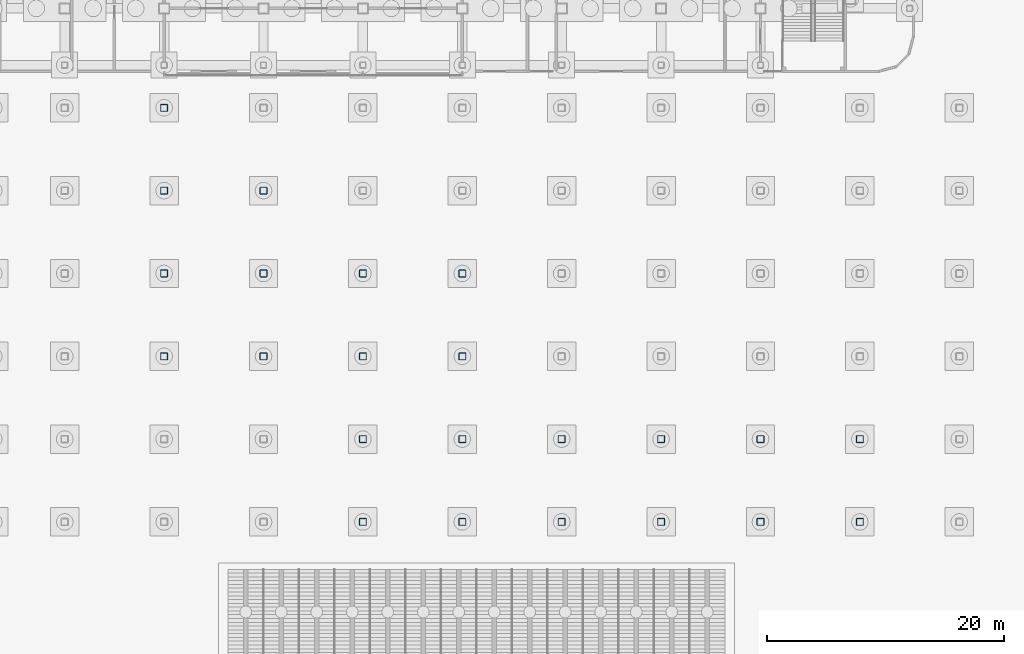
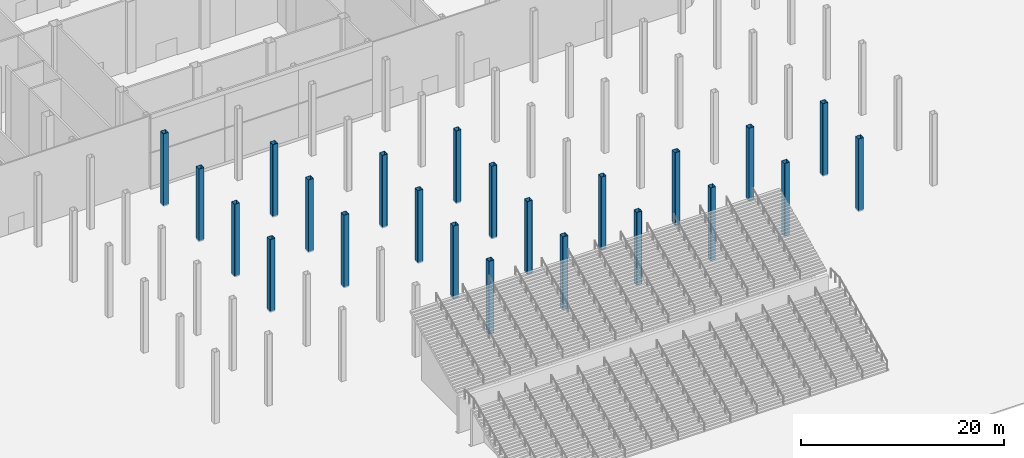
# One storey, part 9 of 113: 23 columns.
"""IFC4 building model written with IfcOpenShell, lengths in metres."""

import ifcopenshell
import ifcopenshell.guid

model = None  # the IFC model being written
_history = None  # IfcOwnerHistory: only IFC2X3 demands one
_inside = {}  # id of a spatial element -> (the spatial element, [elements in it])
_under = {}  # id of a project, library or spatial element -> (it, [spatial elements below it])
_declared = {}  # id of a project -> (the project, [libraries it declares])
_typed = {}  # id of a type object -> (the type object, [elements of that type])
_made_of = {}  # id of a material, layer set ... -> (it, [elements and type objects made of it])


def new_model(schema):
    """Start an empty IFC model of exactly this schema.

    Asked for "IFC4X3", IfcOpenShell would pick the latest addendum, in which some entities
    have other attributes; the version numbers below select the first issue.
    IFC2X3 requires an IfcOwnerHistory on every rooted entity: one is made here for all.
    """
    global model, _history
    if schema == "IFC4X3":
        model = ifcopenshell.file(schema_version=(4, 3, 0, 0))
    else:
        model = ifcopenshell.file(schema=schema)
    _inside.clear()
    _under.clear()
    _declared.clear()
    _typed.clear()
    _made_of.clear()
    _history = None
    if model.schema == "IFC2X3":
        org = make("IfcOrganization", Name="unknown")
        user = make(
            "IfcPersonAndOrganization",
            ThePerson=make("IfcPerson", FamilyName="unknown"),
            TheOrganization=org,
        )
        app = make(
            "IfcApplication",
            ApplicationDeveloper=org,
            Version="unknown",
            ApplicationFullName="unknown",
            ApplicationIdentifier="unknown",
        )
        _history = make(
            "IfcOwnerHistory",
            OwningUser=user,
            OwningApplication=app,
            ChangeAction="ADDED",
            CreationDate=0,
        )
    return model


def make(cls, **values):
    """One entity of the class cls with the attributes given. An attribute that is None is left unset."""
    return model.create_entity(
        cls, **{name: value for name, value in values.items() if value is not None}
    )


def rooted(cls, **values):
    """An entity with a GlobalId (a new one), such as an element, a storey or a relation."""
    return make(cls, GlobalId=ifcopenshell.guid.new(), OwnerHistory=_history, **values)


def si_unit(unit_type, name, prefix=None):
    """IfcSIUnit, for example si_unit("LENGTHUNIT", "METRE", prefix="MILLI")."""
    return make("IfcSIUnit", UnitType=unit_type, Prefix=prefix, Name=name)


def assignment(units):
    """IfcUnitAssignment: the units of a project."""
    return None if units is None else make("IfcUnitAssignment", Units=units)


def point(xyz):
    """IfcCartesianPoint."""
    return None if xyz is None else make("IfcCartesianPoint", Coordinates=xyz)


def direction(xyz):
    """IfcDirection."""
    return None if xyz is None else make("IfcDirection", DirectionRatios=xyz)


def frame(location, z_axis=None, x_axis=None):
    """IfcAxis2Placement3D, a coordinate frame: its origin and axes. An axis left out is left unset."""
    return make(
        "IfcAxis2Placement3D",
        Location=point(location),
        Axis=direction(z_axis),
        RefDirection=direction(x_axis),
    )


def frame_2d(location, x_axis=None):
    """IfcAxis2Placement2D, a coordinate frame in the plane: its origin and x axis."""
    return make(
        "IfcAxis2Placement2D", Location=point(location), RefDirection=direction(x_axis)
    )


def origin():
    """The frame at (0, 0, 0) with its axes left unset."""
    return frame((0.0, 0.0, 0.0))


def origin_2d():
    """The frame at (0, 0) in the plane with its x axis left unset."""
    return frame_2d((0.0, 0.0))


def place(relative_to, where):
    """IfcLocalPlacement: puts the frame where relative to a parent placement (None: the world)."""
    return make(
        "IfcLocalPlacement", PlacementRelTo=relative_to, RelativePlacement=where
    )


def context(
    kind, dimensions, precision=None, world=None, true_north=None, identifier=None
):
    """IfcGeometricRepresentationContext, for example the 3D "Model" context."""
    return make(
        "IfcGeometricRepresentationContext",
        ContextIdentifier=identifier,
        ContextType=kind,
        CoordinateSpaceDimension=dimensions,
        Precision=precision,
        WorldCoordinateSystem=world,
        TrueNorth=true_north,
    )


def subcontext(parent, identifier, kind, view, scale=None):
    """IfcGeometricRepresentationSubContext, for example "Body" below "Model"."""
    return make(
        "IfcGeometricRepresentationSubContext",
        ContextIdentifier=identifier,
        ContextType=kind,
        ParentContext=parent,
        TargetScale=scale,
        TargetView=view,
    )


def project(units=None, contexts=None):
    """IfcProject with its units and contexts."""
    return rooted(
        "IfcProject",
        Name="project",
        RepresentationContexts=contexts,
        UnitsInContext=assignment(units),
    )


def spatial(cls, under=None, at=None, **own):
    """A site, building, storey or space (cls), placed at a placement, below another one or the project."""
    s = rooted(cls, ObjectPlacement=at, **own)
    if under is not None:
        _under.setdefault(under.id(), (under, []))[1].append(s)
    return s


def profile(cls, at=None, kind="AREA", **sizes):
    """A parametric profile (cls). Its sizes go by their IFC names, for example OverallWidth=200.0."""
    return make(cls, ProfileType=kind, Position=at, **sizes)


def hollow_rectangle(**sizes):
    """IfcRectangleHollowProfileDef."""
    return profile("IfcRectangleHollowProfileDef", **sizes)


def extrude(swept, where, along, depth):
    """IfcExtrudedAreaSolid: the profile swept, set in the frame where, extruded along a direction by depth."""
    return make(
        "IfcExtrudedAreaSolid",
        SweptArea=swept,
        Position=where,
        ExtrudedDirection=direction(along),
        Depth=depth,
    )


def shape(context_of_items, identifier, shape_type, items):
    """IfcShapeRepresentation: the items that make up one representation, for example the "Body"."""
    return make(
        "IfcShapeRepresentation",
        ContextOfItems=context_of_items,
        RepresentationIdentifier=identifier,
        RepresentationType=shape_type,
        Items=items,
    )


def material(Name=None, Category=None):
    """IfcMaterial."""
    return make("IfcMaterial", Name=Name, Category=Category)


def material_profile(
    of_material, cross_section, Name=None, Category=None, Priority=None
):
    """IfcMaterialProfile: a cross section and its material."""
    return make(
        "IfcMaterialProfile",
        Name=Name,
        Material=of_material,
        Profile=cross_section,
        Priority=Priority,
        Category=Category,
    )


def profile_set(profiles, Name=None, composite=None):
    """IfcMaterialProfileSet."""
    return make(
        "IfcMaterialProfileSet",
        Name=Name,
        MaterialProfiles=profiles,
        CompositeProfile=composite,
    )


def made_of(thing, what):
    """Note that an element or type object is made of a material, layer set ...; save() writes the relation."""
    if what is not None:
        _made_of.setdefault(what.id(), (what, []))[1].append(thing)
    return thing


def type_object(cls, material=None, **own):
    """A type object (cls), such as IfcWallType, which elements share."""
    return made_of(rooted(cls, **own), material)


def element(
    cls,
    number,
    at=None,
    inside=None,
    cuts=None,
    type_object=None,
    material=None,
    context=None,
    identifier="Body",
    shape_type=None,
    held_by="IfcProductDefinitionShape",
    body=None,
    shapes=None,
    **own,
):
    """One element of the class cls, such as IfcWall. Its Tag is "e" and its number.

    at: its placement. inside: the storey or other place that contains it. cuts: it is an
    opening in that element (IfcRelVoidsElement). A single representation is given by context,
    identifier, shape_type and body (its items); several are given by shapes. held_by: the class
    of the entity that holds the representations. save() writes the other relations.
    """
    e = rooted(cls, Tag="e%d" % number, ObjectPlacement=at, **own)
    if body is not None:
        shapes = [shape(context, identifier, shape_type, body)]
    if shapes is not None:
        e.Representation = make(held_by, Representations=shapes)
    if inside is not None:
        _inside.setdefault(inside.id(), (inside, []))[1].append(e)
    if cuts is not None:
        rooted(
            "IfcRelVoidsElement", RelatingBuildingElement=cuts, RelatedOpeningElement=e
        )
    if type_object is not None:
        _typed.setdefault(type_object.id(), (type_object, []))[1].append(e)
    return made_of(e, material)


def aggregate(whole, parts):
    """IfcRelAggregates: a whole, such as a stair, and the parts it consists of."""
    return rooted("IfcRelAggregates", RelatingObject=whole, RelatedObjects=parts)


def save(model, path):
    """Write the relations noted so far, then the file.

    IfcRelAggregates (storeys below a building ...), IfcRelContainedInSpatialStructure (elements
    in a storey), IfcRelDefinesByType, IfcRelAssociatesMaterial and IfcRelDeclares: one each for
    every whole, place, type object, material and project.
    """
    for whole, parts in _under.values():
        aggregate(whole, parts)
    for where, things in _inside.values():
        rooted(
            "IfcRelContainedInSpatialStructure",
            RelatedElements=things,
            RelatingStructure=where,
        )
    for kind, things in _typed.values():
        rooted("IfcRelDefinesByType", RelatedObjects=things, RelatingType=kind)
    for what, things in _made_of.values():
        rooted("IfcRelAssociatesMaterial", RelatedObjects=things, RelatingMaterial=what)
    for by, libraries in _declared.values():
        rooted("IfcRelDeclares", RelatingContext=by, RelatedDefinitions=libraries)
    model.write(path)


model = new_model("IFC4")

# Units and contexts
model_context = context("Model", 3, precision=1e-05, world=origin(), true_north=direction((0.0, 1.0)))
body_context = subcontext(model_context, "Body", "Model", "MODEL_VIEW")
ifc_project = project(units=[si_unit("LENGTHUNIT", "METRE"), si_unit("AREAUNIT", "SQUARE_METRE"), si_unit("VOLUMEUNIT", "CUBIC_METRE"), si_unit("PLANEANGLEUNIT", "RADIAN"), si_unit("MASSUNIT", "GRAM", prefix="KILO")], contexts=[model_context])

# Site, building, storey
site_placement = place(None, origin())
site = spatial("IfcSite", under=ifc_project, at=site_placement, CompositionType="ELEMENT")
building_placement = place(site_placement, origin())
building = spatial("IfcBuilding", under=site, at=building_placement, Name="Hakoniwa Tower and Hamabe Station Hall", CompositionType="ELEMENT")
storey_placement = place(building_placement, origin())
storey = spatial("IfcBuildingStorey", under=building, at=storey_placement, Name="L01", CompositionType="ELEMENT", Elevation=0.0)

# Columns
ifc_material = material(Name="Steel BCP325", Category="steel")
ifc_material_profile = material_profile(ifc_material, hollow_rectangle(XDim=0.60009765625, YDim=0.60009765625, WallThickness=0.02490234375, OuterFilletRadius=0.0625, at=origin_2d()), Name="DECK COLUMN BCP-600x600x25")
ifc_profile_set = profile_set([ifc_material_profile], Name="Steel BCP325")
column_type = type_object("IfcColumnType", Name="DECK COLUMN BCP-600x600x25", PredefinedType="COLUMN", material=ifc_profile_set)
for number, where, z_axis, x_axis, name in (
    (1, (-8.39990234375, -49.0, -0.14990234375), (0.0, 0.0, 1.0), (1.0, 0.0, 0.0), "Deck column 15"),
    (2, (-8.39990234375, -42.0, -0.14990234375), (0.0, 0.0, 1.0), (1.0, 0.0, 0.0), "Deck column 16"),
    (3, (-8.39990234375, -35.0, -0.14990234375), (0.0, 0.0, 1.0), (1.0, 0.0, 0.0), "Deck column 17"),
    (4, (-8.39990234375, -28.0, -0.14990234375), (0.0, 0.0, 1.0), (1.0, 0.0, 0.0), "Deck column 18"),
    (5, (0.0, -49.0, -0.14990234375), (0.0, 0.0, 1.0), (1.0, 0.0, 0.0), "Deck column 21"),
    (6, (0.0, -42.0, -0.14990234375), (0.0, 0.0, 1.0), (1.0, 0.0, 0.0), "Deck column 22"),
    (7, (0.0, -35.0, -0.14990234375), (0.0, 0.0, 1.0), (1.0, 0.0, 0.0), "Deck column 23"),
    (8, (8.39990234375, -63.0, -0.14990234375), (0.0, 0.0, 1.0), (1.0, 0.0, 0.0), "Deck column 25"),
    (9, (8.39990234375, -56.0, -0.14990234375), (0.0, 0.0, 1.0), (1.0, 0.0, 0.0), "Deck column 26"),
    (10, (8.39990234375, -49.0, -0.14990234375), (0.0, 0.0, 1.0), (1.0, 0.0, 0.0), "Deck column 27"),
    (11, (8.39990234375, -42.0, -0.14990234375), (0.0, 0.0, 1.0), (1.0, 0.0, 0.0), "Deck column 28"),
    (12, (16.800048828125, -63.0, -0.14990234375), (0.0, 0.0, 1.0), (1.0, 0.0, 0.0), "Deck column 31"),
    (13, (16.800048828125, -56.0, -0.14990234375), (0.0, 0.0, 1.0), (1.0, 0.0, 0.0), "Deck column 32"),
    (14, (16.800048828125, -49.0, -0.14990234375), (0.0, 0.0, 1.0), (1.0, 0.0, 0.0), "Deck column 33"),
    (15, (16.800048828125, -42.0, -0.14990234375), (0.0, 0.0, 1.0), (1.0, 0.0, 0.0), "Deck column 34"),
    (16, (25.199951171875, -63.0, -0.14990234375), (0.0, 0.0, 1.0), (1.0, 0.0, 0.0), "Deck column 37"),
    (17, (25.199951171875, -56.0, -0.14990234375), (0.0, 0.0, 1.0), (1.0, 0.0, 0.0), "Deck column 38"),
    (18, (33.60009765625, -63.0, -0.14990234375), (0.0, 0.0, 1.0), (1.0, 0.0, 0.0), "Deck column 43"),
    (19, (33.60009765625, -56.0, -0.14990234375), (0.0, 0.0, 1.0), (1.0, 0.0, 0.0), "Deck column 44"),
    (20, (42.0, -63.0, -0.14990234375), (0.0, 0.0, 1.0), (1.0, 0.0, 0.0), "Deck column 49"),
    (21, (42.0, -56.0, -0.14990234375), (0.0, 0.0, 1.0), (1.0, 0.0, 0.0), "Deck column 50"),
    (22, (50.39990234375, -63.0, -0.14990234375), (0.0, 0.0, 1.0), (1.0, 0.0, 0.0), "Deck column 55"),
    (23, (50.39990234375, -56.0, -0.14990234375), (0.0, 0.0, 1.0), (1.0, 0.0, 0.0), "Deck column 56"),
):
    element("IfcColumn", number, at=place(storey_placement, frame(where, z_axis=z_axis, x_axis=x_axis)), inside=storey, type_object=column_type, Name=name, PredefinedType="COLUMN", context=body_context, shape_type="SweptSolid", body=[
        extrude(hollow_rectangle(XDim=0.60009765625, YDim=0.60009765625, WallThickness=0.02490234375, OuterFilletRadius=0.0625, at=origin_2d()), origin(), (0.0, 0.0, 1.0), 8.739990234375),
    ])

save(model, "model.ifc")
